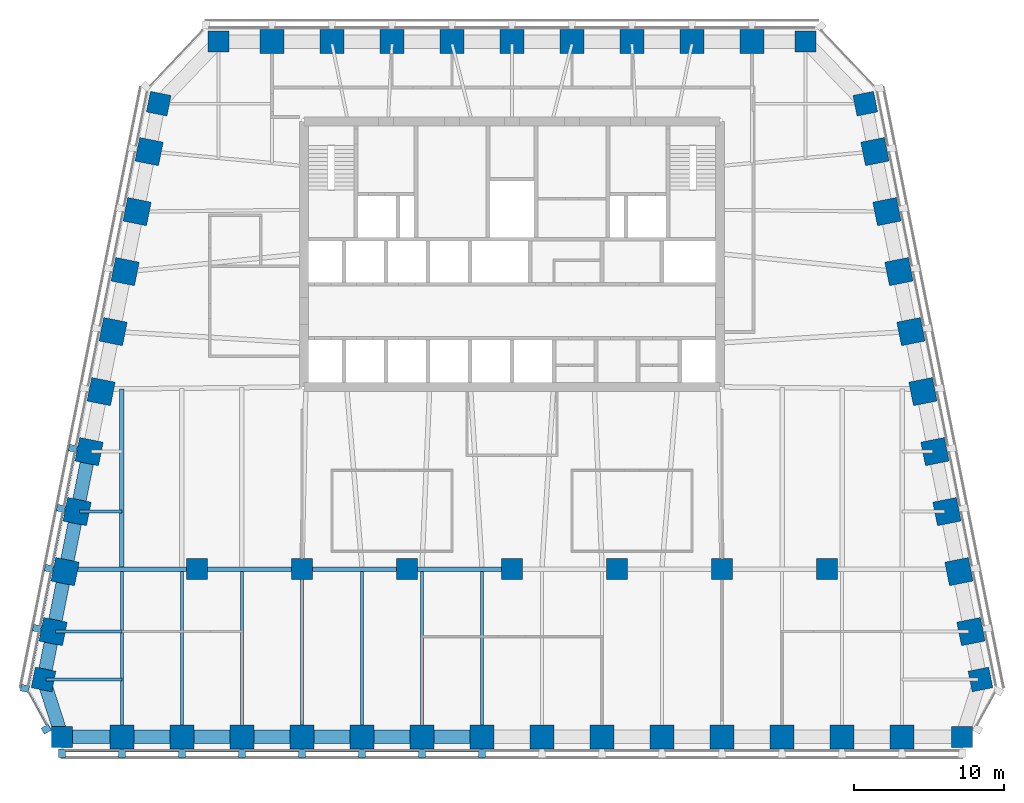
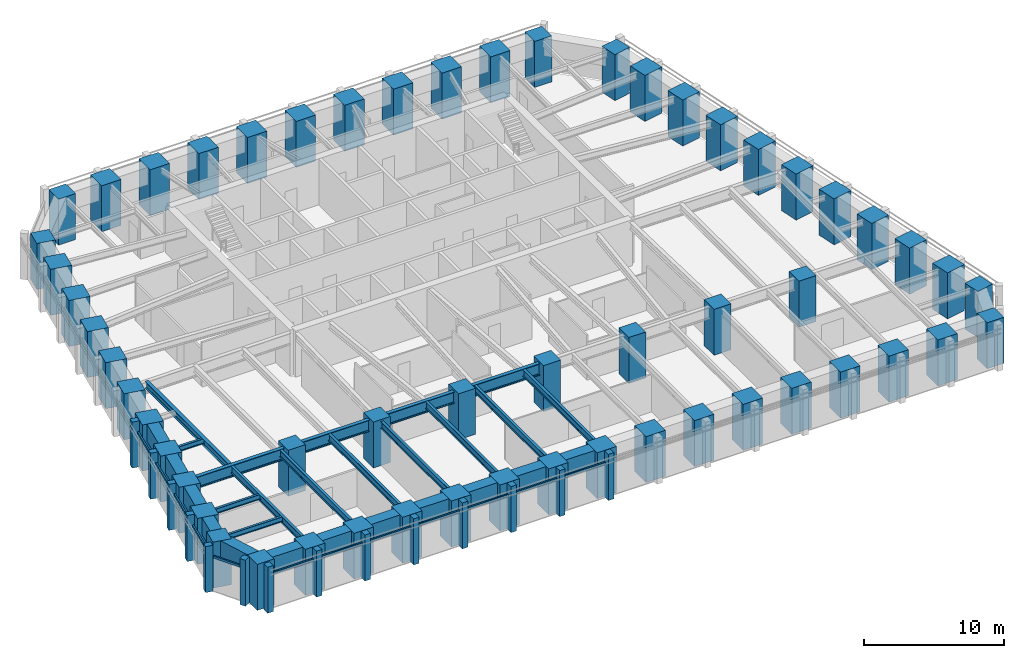
# One storey, part 1 of 10: 56 columns, 27 beams, 26 members, 3 elements without a shape of their own.
"""IFC4 building model written with IfcOpenShell, lengths in metres."""

from ifc_helpers import new_model, si_unit, direction, frame, origin, origin_2d, place, context, subcontext, project, spatial, rectangle, i_section, extrude, material, material_profile, profile_set, type_object, element, aggregate, save


model = new_model("IFC4")

# Units and contexts
model_context = context("Model", 3, precision=1e-05, world=origin(), true_north=direction((0.0, 1.0)))
body_context = subcontext(model_context, "Body", "Model", "MODEL_VIEW")
ifc_project = project(units=[si_unit("LENGTHUNIT", "METRE"), si_unit("AREAUNIT", "SQUARE_METRE"), si_unit("VOLUMEUNIT", "CUBIC_METRE"), si_unit("PLANEANGLEUNIT", "RADIAN"), si_unit("MASSUNIT", "GRAM", prefix="KILO")], contexts=[model_context])

# Site, building, storey
site_placement = place(None, origin())
site = spatial("IfcSite", under=ifc_project, at=site_placement, CompositionType="ELEMENT")
building_placement = place(site_placement, origin())
building = spatial("IfcBuilding", under=site, at=building_placement, Name="Isbrekke Arena Tower", CompositionType="ELEMENT")
storey_placement = place(building_placement, frame((0.0, 0.0, 234.0)))
storey = spatial("IfcBuildingStorey", under=building, at=storey_placement, Name="L54", CompositionType="ELEMENT", Elevation=234.0)

# Columns
ifc_material_1 = material(Name="Concrete B65 (C65/80)", Category="concrete")
ifc_material_profile_1 = material_profile(ifc_material_1, rectangle(XDim=1.39990234375, YDim=1.39990234375, at=origin_2d()), Name="RC 1400x1400")
ifc_profile_set_1 = profile_set([ifc_material_profile_1], Name="Concrete B65 (C65/80)")
column_type_1 = type_object("IfcColumnType", Name="C13 RC 1400 x 1400", PredefinedType="COLUMN", material=ifc_profile_set_1)
for number, where, z_axis, x_axis, name in (
    (1, (-21.0, -6.0, 0.0), (0.0, 0.0, 1.0), (1.0, 0.0, 0.0), "C13 I01"),
    (2, (-14.0, -6.0, 0.0), (0.0, 0.0, 1.0), (1.0, 0.0, 0.0), "C13 I02"),
    (3, (-7.0, -6.0, 0.0), (0.0, 0.0, 1.0), (1.0, 0.0, 0.0), "C13 I03"),
    (4, (0.0, -6.0, 0.0), (0.0, 0.0, 1.0), (1.0, 0.0, 0.0), "C13 I04"),
    (5, (7.0, -6.0, 0.0), (0.0, 0.0, 1.0), (1.0, 0.0, 0.0), "C13 I05"),
    (6, (14.0, -6.0, 0.0), (0.0, 0.0, 1.0), (1.0, 0.0, 0.0), "C13 I06"),
    (7, (21.0, -6.0, 0.0), (0.0, 0.0, 1.0), (1.0, 0.0, 0.0), "C13 I07"),
):
    element("IfcColumn", number, at=place(storey_placement, frame(where, z_axis=z_axis, x_axis=x_axis)), inside=storey, type_object=column_type_1, Name=name, PredefinedType="COLUMN", context=body_context, shape_type="SweptSolid", body=[
        extrude(rectangle(XDim=1.39990234375, YDim=1.39990234375, at=origin_2d()), origin(), (0.0, 0.0, 1.0), 4.0),
    ])
ifc_material_2 = material(Name="Concrete B65 (C65/80)", Category="concrete")
ifc_material_profile_2 = material_profile(ifc_material_2, rectangle(XDim=1.60009765625, YDim=1.60009765625, at=origin_2d()), Name="RC 1600x1600")
ifc_profile_set_2 = profile_set([ifc_material_profile_2], Name="Concrete B65 (C65/80)")
column_type_2 = type_object("IfcColumnType", Name="C4 RC 1600 x 1600", PredefinedType="COLUMN", material=ifc_profile_set_2)
for number, where, z_axis, x_axis, name in (
    (8, (-26.0, -17.175048828125, 0.0), (0.0, 0.0, 1.0), (1.0, 0.0, 0.0), "C4 S02"),
    (9, (-22.0, -17.175048828125, 0.0), (0.0, 0.0, 1.0), (1.0, 0.0, 0.0), "C4 S03"),
    (10, (-18.0, -17.175048828125, 0.0), (0.0, 0.0, 1.0), (1.0, 0.0, 0.0), "C4 S04"),
    (11, (-14.0, -17.175048828125, 0.0), (0.0, 0.0, 1.0), (1.0, 0.0, 0.0), "C4 S05"),
    (12, (-10.0, -17.175048828125, 0.0), (0.0, 0.0, 1.0), (1.0, 0.0, 0.0), "C4 S06"),
    (13, (-6.0, -17.175048828125, 0.0), (0.0, 0.0, 1.0), (1.0, 0.0, 0.0), "C4 S07"),
    (14, (-2.0, -17.175048828125, 0.0), (0.0, 0.0, 1.0), (1.0, 0.0, 0.0), "C4 S08"),
    (15, (2.0, -17.175048828125, 0.0), (0.0, 0.0, 1.0), (1.0, 0.0, 0.0), "C4 S09"),
    (16, (6.0, -17.175048828125, 0.0), (0.0, 0.0, 1.0), (1.0, 0.0, 0.0), "C4 S10"),
    (17, (10.0, -17.175048828125, 0.0), (0.0, 0.0, 1.0), (1.0, 0.0, 0.0), "C4 S11"),
    (18, (14.0, -17.175048828125, 0.0), (0.0, 0.0, 1.0), (1.0, 0.0, 0.0), "C4 S12"),
    (19, (18.0, -17.175048828125, 0.0), (0.0, 0.0, 1.0), (1.0, 0.0, 0.0), "C4 S13"),
    (20, (22.0, -17.175048828125, 0.0), (0.0, 0.0, 1.0), (1.0, 0.0, 0.0), "C4 S14"),
    (21, (26.0, -17.175048828125, 0.0), (0.0, 0.0, 1.0), (1.0, 0.0, 0.0), "C4 S15"),
    (22, (30.591064453125, -10.161865234375, 0.0), (0.0, 0.0, 1.0), (-0.196116135138, 0.980580675691, 0.0), "C4 E02"),
    (23, (29.791015625, -6.161865234375, 0.0), (0.0, 0.0, 1.0), (-0.196116135138, 0.980580675691, 0.0), "C4 E03"),
    (24, (28.990966796875, -2.161865234375, 0.0), (0.0, 0.0, 1.0), (-0.196116135138, 0.980580675691, 0.0), "C4 E04"),
    (25, (28.19091796875, 1.838134765625, 0.0), (0.0, 0.0, 1.0), (-0.196116135138, 0.980580675691, 0.0), "C4 E05"),
    (26, (27.39111328125, 5.838134765625, 0.0), (0.0, 0.0, 1.0), (-0.196116135138, 0.980580675691, 0.0), "C4 E06"),
    (27, (26.591064453125, 9.838134765625, 0.0), (0.0, 0.0, 1.0), (-0.196116135138, 0.980580675691, 0.0), "C4 E07"),
    (28, (25.791015625, 13.838134765625, 0.0), (0.0, 0.0, 1.0), (-0.196116135138, 0.980580675691, 0.0), "C4 E08"),
    (29, (24.990966796875, 17.838134765625, 0.0), (0.0, 0.0, 1.0), (-0.196116135138, 0.980580675691, 0.0), "C4 E09"),
    (30, (24.19091796875, 21.838134765625, 0.0), (0.0, 0.0, 1.0), (-0.196116135138, 0.980580675691, 0.0), "C4 E10"),
    (31, (16.0, 29.175048828125, 0.0), (0.0, 0.0, 1.0), (-1.0, 0.0, 0.0), "C4 N02"),
    (32, (12.0, 29.175048828125, 0.0), (0.0, 0.0, 1.0), (-1.0, 0.0, 0.0), "C4 N03"),
    (33, (8.0, 29.175048828125, 0.0), (0.0, 0.0, 1.0), (-1.0, 0.0, 0.0), "C4 N04"),
    (34, (4.0, 29.175048828125, 0.0), (0.0, 0.0, 1.0), (-1.0, 0.0, 0.0), "C4 N05"),
    (35, (0.0, 29.175048828125, 0.0), (0.0, 0.0, 1.0), (-1.0, 0.0, 0.0), "C4 N06"),
    (36, (-4.0, 29.175048828125, 0.0), (0.0, 0.0, 1.0), (-1.0, 0.0, 0.0), "C4 N07"),
    (37, (-8.0, 29.175048828125, 0.0), (0.0, 0.0, 1.0), (-1.0, 0.0, 0.0), "C4 N08"),
    (38, (-12.0, 29.175048828125, 0.0), (0.0, 0.0, 1.0), (-1.0, 0.0, 0.0), "C4 N09"),
    (39, (-16.0, 29.175048828125, 0.0), (0.0, 0.0, 1.0), (-1.0, 0.0, 0.0), "C4 N10"),
    (40, (-24.19091796875, 21.838134765625, 0.0), (0.0, 0.0, 1.0), (-0.196116135138, -0.980580675691, 0.0), "C4 W02"),
    (41, (-24.990966796875, 17.838134765625, 0.0), (0.0, 0.0, 1.0), (-0.196116135138, -0.980580675691, 0.0), "C4 W03"),
    (42, (-25.791015625, 13.838134765625, 0.0), (0.0, 0.0, 1.0), (-0.196116135138, -0.980580675691, 0.0), "C4 W04"),
    (43, (-26.591064453125, 9.838134765625, 0.0), (0.0, 0.0, 1.0), (-0.196116135138, -0.980580675691, 0.0), "C4 W05"),
    (44, (-27.39111328125, 5.838134765625, 0.0), (0.0, 0.0, 1.0), (-0.196116135138, -0.980580675691, 0.0), "C4 W06"),
    (45, (-28.19091796875, 1.838134765625, 0.0), (0.0, 0.0, 1.0), (-0.196116135138, -0.980580675691, 0.0), "C4 W07"),
    (46, (-28.990966796875, -2.161865234375, 0.0), (0.0, 0.0, 1.0), (-0.196116135138, -0.980580675691, 0.0), "C4 W08"),
    (47, (-29.791015625, -6.161865234375, 0.0), (0.0, 0.0, 1.0), (-0.196116135138, -0.980580675691, 0.0), "C4 W09"),
    (48, (-30.591064453125, -10.161865234375, 0.0), (0.0, 0.0, 1.0), (-0.196116135138, -0.980580675691, 0.0), "C4 W10"),
):
    element("IfcColumn", number, at=place(storey_placement, frame(where, z_axis=z_axis, x_axis=x_axis)), inside=storey, type_object=column_type_2, Name=name, PredefinedType="COLUMN", context=body_context, shape_type="SweptSolid", body=[
        extrude(rectangle(XDim=1.60009765625, YDim=1.60009765625, at=origin_2d()), origin(), (0.0, 0.0, 1.0), 4.0),
    ])
ifc_material_3 = material(Name="Concrete B65 (C65/80)", Category="concrete")
ifc_material_profile_3 = material_profile(ifc_material_3, rectangle(XDim=1.39990234375, YDim=1.39990234375, at=origin_2d()), Name="RC 1400x1400")
ifc_profile_set_3 = profile_set([ifc_material_profile_3], Name="Concrete B65 (C65/80)")
column_type_3 = type_object("IfcColumnType", Name="C8 RC 1400 x 1400", PredefinedType="COLUMN", material=ifc_profile_set_3)
for number, where, z_axis, x_axis, name in (
    (49, (-30.0, -17.175048828125, 0.0), (0.0, 0.0, 1.0), (1.0, 0.0, 0.0), "C8 S01"),
    (50, (30.0, -17.175048828125, 0.0), (0.0, 0.0, 1.0), (1.0, 0.0, 0.0), "C8 S16"),
    (51, (31.229248046875, -13.352783203125, 0.0), (0.0, 0.0, 1.0), (-0.196116135138, 0.980580675691, 0.0), "C8 E01"),
    (52, (23.552734375, 25.029296875, 0.0), (0.0, 0.0, 1.0), (-0.196116135138, 0.980580675691, 0.0), "C8 E11"),
    (53, (19.574951171875, 29.175048828125, 0.0), (0.0, 0.0, 1.0), (-1.0, 0.0, 0.0), "C8 N01"),
    (54, (-19.574951171875, 29.175048828125, 0.0), (0.0, 0.0, 1.0), (-1.0, 0.0, 0.0), "C8 N11"),
    (55, (-23.552734375, 25.029296875, 0.0), (0.0, 0.0, 1.0), (-0.196116135138, -0.980580675691, 0.0), "C8 W01"),
    (56, (-31.229248046875, -13.352783203125, 0.0), (0.0, 0.0, 1.0), (-0.196116135138, -0.980580675691, 0.0), "C8 W11"),
):
    element("IfcColumn", number, at=place(storey_placement, frame(where, z_axis=z_axis, x_axis=x_axis)), inside=storey, type_object=column_type_3, Name=name, PredefinedType="COLUMN", context=body_context, shape_type="SweptSolid", body=[
        extrude(rectangle(XDim=1.39990234375, YDim=1.39990234375, at=origin_2d()), origin(), (0.0, 0.0, 1.0), 4.0),
    ])

# Beams
ifc_material_4 = material(Name="Steel S355", Category="steel")
ifc_material_profile_4 = material_profile(ifc_material_4, i_section(OverallWidth=0.219970703125, OverallDepth=0.60009765625, WebThickness=0.011962890625, FlangeThickness=0.01904296875, FilletRadius=0.02392578125, at=origin_2d()), Name="IPE 600")
ifc_profile_set_4 = profile_set([ifc_material_profile_4], Name="Steel S355")
beam_type_1 = type_object("IfcBeamType", Name="B1 IPE 600", PredefinedType="BEAM", material=ifc_profile_set_4)
for number, where, z_axis, x_axis, name in (
    (57, (-26.0, -17.02490234375, 3.550048828125), (0.0, 1.0, 0.0), (-1.0, 0.0, 0.0), "B1 beam S-S02 L54"),
    (58, (-22.0, -17.02490234375, 3.550048828125), (0.0, 1.0, 0.0), (-1.0, 0.0, 0.0), "B1 beam S-S03 L54"),
    (59, (-18.0, -17.02490234375, 3.550048828125), (0.0, 1.0, 0.0), (-1.0, 0.0, 0.0), "B1 beam S-S04 L54"),
):
    element("IfcBeam", number, at=place(storey_placement, frame(where, z_axis=z_axis, x_axis=x_axis)), inside=storey, type_object=beam_type_1, Name=name, PredefinedType="BEAM", context=body_context, shape_type="SweptSolid", body=[
        extrude(i_section(OverallWidth=0.219970703125, OverallDepth=0.60009765625, WebThickness=0.011962890625, FlangeThickness=0.01904296875, FilletRadius=0.02392578125, at=origin_2d()), origin(), (0.0, 0.0, 1.0), 10.8740234375),
    ])
beam_1_placement = place(storey_placement, frame((-14.0, -17.02490234375, 3.550048828125), z_axis=(0.0, 1.0, 0.0), x_axis=(-1.0, 0.0, 0.0)))
element("IfcBeam", 60, at=beam_1_placement, inside=storey, type_object=beam_type_1, Name="B1 beam S-S05 L54", PredefinedType="BEAM", context=body_context, shape_type="SweptSolid", body=[
    extrude(i_section(OverallWidth=0.219970703125, OverallDepth=0.60009765625, WebThickness=0.011962890625, FlangeThickness=0.01904296875, FilletRadius=0.02392578125, at=origin_2d()), origin(), (0.0, 0.0, 1.0), 10.875),
])
for number, where, z_axis, x_axis, name in (
    (61, (-10.0, -17.02490234375, 3.550048828125), (0.0, 1.0, 0.0), (-1.0, 0.0, 0.0), "B1 beam S-S06 L54"),
    (62, (-6.0, -17.02490234375, 3.550048828125), (0.0, 1.0, 0.0), (-1.0, 0.0, 0.0), "B1 beam S-S07 L54"),
    (63, (-2.0, -17.02490234375, 3.550048828125), (0.0, 1.0, 0.0), (-1.0, 0.0, 0.0), "B1 beam S-S08 L54"),
):
    element("IfcBeam", number, at=place(storey_placement, frame(where, z_axis=z_axis, x_axis=x_axis)), inside=storey, type_object=beam_type_1, Name=name, PredefinedType="BEAM", context=body_context, shape_type="SweptSolid", body=[
        extrude(i_section(OverallWidth=0.219970703125, OverallDepth=0.60009765625, WebThickness=0.011962890625, FlangeThickness=0.01904296875, FilletRadius=0.02392578125, at=origin_2d()), origin(), (0.0, 0.0, 1.0), 10.8740234375),
    ])
ifc_material_5 = material(Name="Steel S355", Category="steel")
ifc_material_profile_5 = material_profile(ifc_material_5, i_section(OverallWidth=0.18994140625, OverallDepth=0.449951171875, WebThickness=0.009521484375, FlangeThickness=0.0146484375, FilletRadius=0.02099609375, at=origin_2d()), Name="IPE 450")
ifc_profile_set_5 = profile_set([ifc_material_profile_5], Name="Steel S355")
beam_type_2 = type_object("IfcBeamType", Name="B2 IPE 450", PredefinedType="BEAM", material=ifc_profile_set_5)
beam_2_placement = place(storey_placement, frame((-28.841064453125, -2.161865234375, 3.625), z_axis=(1.0, 0.0, 0.0), x_axis=(0.0, 1.0, 0.0)))
element("IfcBeam", 64, at=beam_2_placement, inside=storey, type_object=beam_type_2, Name="B2 beam E-W08 L54", PredefinedType="BEAM", context=body_context, shape_type="SweptSolid", body=[
    extrude(i_section(OverallWidth=0.18994140625, OverallDepth=0.449951171875, WebThickness=0.009521484375, FlangeThickness=0.0146484375, FilletRadius=0.02099609375, at=origin_2d()), origin(), (0.0, 0.0, 1.0), 2.841064453125),
])
beam_3_placement = place(storey_placement, frame((-30.44091796875, -10.161865234375, 3.625), z_axis=(1.0, 0.0, 0.0), x_axis=(0.0, 1.0, 0.0)))
element("IfcBeam", 65, at=beam_3_placement, inside=storey, type_object=beam_type_2, Name="B2 beam E-W10 L54", PredefinedType="BEAM", context=body_context, shape_type="SweptSolid", body=[
    extrude(i_section(OverallWidth=0.18994140625, OverallDepth=0.449951171875, WebThickness=0.009521484375, FlangeThickness=0.0146484375, FilletRadius=0.02099609375, at=origin_2d()), origin(), (0.0, 0.0, 1.0), 4.44091796875),
])
beam_4_placement = place(storey_placement, frame((-31.079345703125, -13.352783203125, 3.625), z_axis=(1.0, 0.0, 0.0), x_axis=(0.0, 1.0, 0.0)))
element("IfcBeam", 66, at=beam_4_placement, inside=storey, type_object=beam_type_2, Name="B2 beam E-W11 L54", PredefinedType="BEAM", context=body_context, shape_type="SweptSolid", body=[
    extrude(i_section(OverallWidth=0.18994140625, OverallDepth=0.449951171875, WebThickness=0.009521484375, FlangeThickness=0.0146484375, FilletRadius=0.02099609375, at=origin_2d()), origin(), (0.0, 0.0, 1.0), 5.079345703125),
])
ifc_material_6 = material(Name="Steel S355", Category="steel")
ifc_material_profile_6 = material_profile(ifc_material_6, i_section(OverallWidth=0.300048828125, OverallDepth=0.60009765625, WebThickness=0.015380859375, FlangeThickness=0.030029296875, FilletRadius=0.027099609375, at=origin_2d()), Name="HEB 600")
ifc_profile_set_6 = profile_set([ifc_material_profile_6], Name="Steel S355")
beam_type_3 = type_object("IfcBeamType", Name="B7 HEB 600", PredefinedType="BEAM", material=ifc_profile_set_6)
beam_5_placement = place(storey_placement, frame((-26.0, -5.84912109375, 3.550048828125), z_axis=(0.0, 1.0, 0.0), x_axis=(-1.0, 0.0, 0.0)))
element("IfcBeam", 67, at=beam_5_placement, inside=storey, type_object=beam_type_3, Name="B7 beam C-M01 L54", PredefinedType="BEAM", context=body_context, shape_type="SweptSolid", body=[
    extrude(i_section(OverallWidth=0.300048828125, OverallDepth=0.60009765625, WebThickness=0.015380859375, FlangeThickness=0.030029296875, FilletRadius=0.027099609375, at=origin_2d()), origin(), (0.0, 0.0, 1.0), 11.864990234375),
])

# Curtain wall, members
ifc_material_7 = material(Name="Glazed aluminium curtain wall", Category="aluminium")
curtain_wall_type = type_object("IfcCurtainWallType", Name="CWH TOWER CURTAIN WALL HIGH ZONE", PredefinedType="USERDEFINED", material=ifc_material_7)
curtain_wall_1_placement = place(storey_placement, origin())
curtain_wall_1 = element("IfcCurtainWall", 68, at=curtain_wall_1_placement, inside=storey, type_object=curtain_wall_type, Name="CWH curtain wall L54-S", ObjectType="TOWER CURTAIN WALL HIGH ZONE", PredefinedType="USERDEFINED")
ifc_material_8 = material(Name="Aluminium mullion, pale brick slip cladding", Category="masonry")
ifc_material_profile_7 = material_profile(ifc_material_8, rectangle(XDim=0.449951171875, YDim=0.550048828125, at=origin_2d()), Name="PIER 450X550")
ifc_profile_set_7 = profile_set([ifc_material_profile_7], Name="Aluminium mullion, pale brick slip cladding")
member_type_1 = type_object("IfcMemberType", Name="CWH-M PIER MULLION 450 x 550", PredefinedType="MULLION", material=ifc_profile_set_7)
member_1_placement = place(storey_placement, frame((-30.0, -18.27490234375, 0.0), z_axis=(0.0, 0.0, 1.0), x_axis=(1.0, 0.0, 0.0)))
member_1 = element("IfcMember", 69, at=member_1_placement, type_object=member_type_1, Name="CWH-M mullion 1", PredefinedType="MULLION", context=body_context, shape_type="SweptSolid", body=[
    extrude(rectangle(XDim=0.449951171875, YDim=0.550048828125, at=origin_2d()), origin(), (0.0, 0.0, 1.0), 4.0),
])
member_2_placement = place(storey_placement, frame((-26.0, -18.27490234375, 0.0), z_axis=(0.0, 0.0, 1.0), x_axis=(1.0, 0.0, 0.0)))
member_2 = element("IfcMember", 70, at=member_2_placement, type_object=member_type_1, Name="CWH-M mullion 2", PredefinedType="MULLION", context=body_context, shape_type="SweptSolid", body=[
    extrude(rectangle(XDim=0.449951171875, YDim=0.550048828125, at=origin_2d()), origin(), (0.0, 0.0, 1.0), 4.0),
])
member_3_placement = place(storey_placement, frame((-22.0, -18.27490234375, 0.0), z_axis=(0.0, 0.0, 1.0), x_axis=(1.0, 0.0, 0.0)))
member_3 = element("IfcMember", 71, at=member_3_placement, type_object=member_type_1, Name="CWH-M mullion 3", PredefinedType="MULLION", context=body_context, shape_type="SweptSolid", body=[
    extrude(rectangle(XDim=0.449951171875, YDim=0.550048828125, at=origin_2d()), origin(), (0.0, 0.0, 1.0), 4.0),
])
member_4_placement = place(storey_placement, frame((-18.0, -18.27490234375, 0.0), z_axis=(0.0, 0.0, 1.0), x_axis=(1.0, 0.0, 0.0)))
member_4 = element("IfcMember", 72, at=member_4_placement, type_object=member_type_1, Name="CWH-M mullion 4", PredefinedType="MULLION", context=body_context, shape_type="SweptSolid", body=[
    extrude(rectangle(XDim=0.449951171875, YDim=0.550048828125, at=origin_2d()), origin(), (0.0, 0.0, 1.0), 4.0),
])
member_5_placement = place(storey_placement, frame((-14.0, -18.27490234375, 0.0), z_axis=(0.0, 0.0, 1.0), x_axis=(1.0, 0.0, 0.0)))
member_5 = element("IfcMember", 73, at=member_5_placement, type_object=member_type_1, Name="CWH-M mullion 5", PredefinedType="MULLION", context=body_context, shape_type="SweptSolid", body=[
    extrude(rectangle(XDim=0.449951171875, YDim=0.550048828125, at=origin_2d()), origin(), (0.0, 0.0, 1.0), 4.0),
])
member_6_placement = place(storey_placement, frame((-10.0, -18.27490234375, 0.0), z_axis=(0.0, 0.0, 1.0), x_axis=(1.0, 0.0, 0.0)))
member_6 = element("IfcMember", 74, at=member_6_placement, type_object=member_type_1, Name="CWH-M mullion 6", PredefinedType="MULLION", context=body_context, shape_type="SweptSolid", body=[
    extrude(rectangle(XDim=0.449951171875, YDim=0.550048828125, at=origin_2d()), origin(), (0.0, 0.0, 1.0), 4.0),
])
member_7_placement = place(storey_placement, frame((-6.0, -18.27490234375, 0.0), z_axis=(0.0, 0.0, 1.0), x_axis=(1.0, 0.0, 0.0)))
member_7 = element("IfcMember", 75, at=member_7_placement, type_object=member_type_1, Name="CWH-M mullion 7", PredefinedType="MULLION", context=body_context, shape_type="SweptSolid", body=[
    extrude(rectangle(XDim=0.449951171875, YDim=0.550048828125, at=origin_2d()), origin(), (0.0, 0.0, 1.0), 4.0),
])
member_8_placement = place(storey_placement, frame((-2.0, -18.27490234375, 0.0), z_axis=(0.0, 0.0, 1.0), x_axis=(1.0, 0.0, 0.0)))
member_8 = element("IfcMember", 76, at=member_8_placement, type_object=member_type_1, Name="CWH-M mullion 8", PredefinedType="MULLION", context=body_context, shape_type="SweptSolid", body=[
    extrude(rectangle(XDim=0.449951171875, YDim=0.550048828125, at=origin_2d()), origin(), (0.0, 0.0, 1.0), 4.0),
])

curtain_wall_2_placement = place(storey_placement, origin())
curtain_wall_2 = element("IfcCurtainWall", 77, at=curtain_wall_2_placement, inside=storey, type_object=curtain_wall_type, Name="CWH curtain wall L54-W", ObjectType="TOWER CURTAIN WALL HIGH ZONE", PredefinedType="USERDEFINED")
member_9_placement = place(storey_placement, frame((-29.269775390625, 2.053955078125, 0.0), z_axis=(0.0, 0.0, 1.0), x_axis=(-0.196116135138, -0.980580675691, 0.0)))
member_9 = element("IfcMember", 78, at=member_9_placement, type_object=member_type_1, Name="CWH-M mullion 6", PredefinedType="MULLION", context=body_context, shape_type="SweptSolid", body=[
    extrude(rectangle(XDim=0.449951171875, YDim=0.550048828125, at=origin_2d()), origin(), (0.0, 0.0, 1.0), 4.0),
])
member_10_placement = place(storey_placement, frame((-30.069580078125, -1.946044921875, 0.0), z_axis=(0.0, 0.0, 1.0), x_axis=(-0.196116135138, -0.980580675691, 0.0)))
member_10 = element("IfcMember", 79, at=member_10_placement, type_object=member_type_1, Name="CWH-M mullion 7", PredefinedType="MULLION", context=body_context, shape_type="SweptSolid", body=[
    extrude(rectangle(XDim=0.449951171875, YDim=0.550048828125, at=origin_2d()), origin(), (0.0, 0.0, 1.0), 4.0),
])
member_11_placement = place(storey_placement, frame((-30.86962890625, -5.946044921875, 0.0), z_axis=(0.0, 0.0, 1.0), x_axis=(-0.196116135138, -0.980580675691, 0.0)))
member_11 = element("IfcMember", 80, at=member_11_placement, type_object=member_type_1, Name="CWH-M mullion 8", PredefinedType="MULLION", context=body_context, shape_type="SweptSolid", body=[
    extrude(rectangle(XDim=0.449951171875, YDim=0.550048828125, at=origin_2d()), origin(), (0.0, 0.0, 1.0), 4.0),
])
member_12_placement = place(storey_placement, frame((-31.669677734375, -9.946044921875, 0.0), z_axis=(0.0, 0.0, 1.0), x_axis=(-0.196116135138, -0.980580675691, 0.0)))
member_12 = element("IfcMember", 81, at=member_12_placement, type_object=member_type_1, Name="CWH-M mullion 9", PredefinedType="MULLION", context=body_context, shape_type="SweptSolid", body=[
    extrude(rectangle(XDim=0.449951171875, YDim=0.550048828125, at=origin_2d()), origin(), (0.0, 0.0, 1.0), 4.0),
])
member_13_placement = place(storey_placement, frame((-32.4697265625, -13.946044921875, 0.0), z_axis=(0.0, 0.0, 1.0), x_axis=(-0.196116135138, -0.980580675691, 0.0)))
member_13 = element("IfcMember", 82, at=member_13_placement, type_object=member_type_1, Name="CWH-M mullion 10", PredefinedType="MULLION", context=body_context, shape_type="SweptSolid", body=[
    extrude(rectangle(XDim=0.449951171875, YDim=0.550048828125, at=origin_2d()), origin(), (0.0, 0.0, 1.0), 4.0),
])

# Curtain wall, member
curtain_wall_3_placement = place(storey_placement, origin())
curtain_wall_3 = element("IfcCurtainWall", 83, at=curtain_wall_3_placement, inside=storey, type_object=curtain_wall_type, Name="CWH curtain wall L54-WS", ObjectType="TOWER CURTAIN WALL HIGH ZONE", PredefinedType="USERDEFINED")
member_14_placement = place(storey_placement, frame((-31.04638671875, -16.66796875, 0.0), z_axis=(0.0, 0.0, 1.0), x_axis=(0.481918749773, -0.876215908676, 0.0)))
member_14 = element("IfcMember", 84, at=member_14_placement, type_object=member_type_1, Name="CWH-M mullion 1", PredefinedType="MULLION", context=body_context, shape_type="SweptSolid", body=[
    extrude(rectangle(XDim=0.449951171875, YDim=0.550048828125, at=origin_2d()), origin(), (0.0, 0.0, 1.0), 4.0),
])

# Member
ifc_material_9 = material(Name="Aluminium transom", Category="aluminium")
ifc_material_profile_8 = material_profile(ifc_material_9, rectangle(XDim=0.1201171875, YDim=0.199951171875, at=origin_2d()), Name="TRANSOM 120X200")
ifc_profile_set_8 = profile_set([ifc_material_profile_8], Name="Aluminium transom")
member_type_2 = type_object("IfcMemberType", Name="CWH-T TRANSOM 120 x 200", PredefinedType="USERDEFINED", material=ifc_profile_set_8)
member_15_placement = place(storey_placement, frame((-29.77490234375, -18.10009765625, 3.0), z_axis=(1.0, 0.0, 0.0), x_axis=(0.0, 1.0, 0.0)))
member_15 = element("IfcMember", 85, at=member_15_placement, type_object=member_type_2, Name="CWH-T transom 1", ObjectType="TRANSOM", PredefinedType="USERDEFINED", context=body_context, shape_type="SweptSolid", body=[
    extrude(rectangle(XDim=0.1201171875, YDim=0.199951171875, at=origin_2d()), origin(), (0.0, 0.0, 1.0), 3.5498046875),
])

member_16_placement = place(storey_placement, frame((-25.77490234375, -18.10009765625, 3.0), z_axis=(1.0, 0.0, 0.0), x_axis=(0.0, 1.0, 0.0)))
member_16 = element("IfcMember", 86, at=member_16_placement, type_object=member_type_2, Name="CWH-T transom 2", ObjectType="TRANSOM", PredefinedType="USERDEFINED", context=body_context, shape_type="SweptSolid", body=[
    extrude(rectangle(XDim=0.1201171875, YDim=0.199951171875, at=origin_2d()), origin(), (0.0, 0.0, 1.0), 3.5498046875),
])

member_17_placement = place(storey_placement, frame((-21.77490234375, -18.10009765625, 3.0), z_axis=(1.0, 0.0, 0.0), x_axis=(0.0, 1.0, 0.0)))
member_17 = element("IfcMember", 87, at=member_17_placement, type_object=member_type_2, Name="CWH-T transom 3", ObjectType="TRANSOM", PredefinedType="USERDEFINED", context=body_context, shape_type="SweptSolid", body=[
    extrude(rectangle(XDim=0.1201171875, YDim=0.199951171875, at=origin_2d()), origin(), (0.0, 0.0, 1.0), 3.5498046875),
])

member_18_placement = place(storey_placement, frame((-17.77490234375, -18.10009765625, 3.0), z_axis=(1.0, 0.0, 0.0), x_axis=(0.0, 1.0, 0.0)))
member_18 = element("IfcMember", 88, at=member_18_placement, type_object=member_type_2, Name="CWH-T transom 4", ObjectType="TRANSOM", PredefinedType="USERDEFINED", context=body_context, shape_type="SweptSolid", body=[
    extrude(rectangle(XDim=0.1201171875, YDim=0.199951171875, at=origin_2d()), origin(), (0.0, 0.0, 1.0), 3.5498046875),
])

member_19_placement = place(storey_placement, frame((-13.77490234375, -18.10009765625, 3.0), z_axis=(1.0, 0.0, 0.0), x_axis=(0.0, 1.0, 0.0)))
member_19 = element("IfcMember", 89, at=member_19_placement, type_object=member_type_2, Name="CWH-T transom 5", ObjectType="TRANSOM", PredefinedType="USERDEFINED", context=body_context, shape_type="SweptSolid", body=[
    extrude(rectangle(XDim=0.1201171875, YDim=0.199951171875, at=origin_2d()), origin(), (0.0, 0.0, 1.0), 3.5498046875),
])

member_20_placement = place(storey_placement, frame((-9.77490234375, -18.10009765625, 3.0), z_axis=(1.0, 0.0, 0.0), x_axis=(0.0, 1.0, 0.0)))
member_20 = element("IfcMember", 90, at=member_20_placement, type_object=member_type_2, Name="CWH-T transom 6", ObjectType="TRANSOM", PredefinedType="USERDEFINED", context=body_context, shape_type="SweptSolid", body=[
    extrude(rectangle(XDim=0.1201171875, YDim=0.199951171875, at=origin_2d()), origin(), (0.0, 0.0, 1.0), 3.5498046875),
])

member_21_placement = place(storey_placement, frame((-5.77490234375, -18.10009765625, 3.0), z_axis=(1.0, 0.0, 0.0), x_axis=(0.0, 1.0, 0.0)))
member_21 = element("IfcMember", 91, at=member_21_placement, type_object=member_type_2, Name="CWH-T transom 7", ObjectType="TRANSOM", PredefinedType="USERDEFINED", context=body_context, shape_type="SweptSolid", body=[
    extrude(rectangle(XDim=0.1201171875, YDim=0.199951171875, at=origin_2d()), origin(), (0.0, 0.0, 1.0), 3.5498046875),
])

aggregate(curtain_wall_1, [member_1, member_2, member_3, member_4, member_5, member_6, member_7, member_8, member_15, member_16, member_17, member_18, member_19, member_20, member_21])

member_22_placement = place(storey_placement, frame((-29.14208984375, 1.799072265625, 3.0), z_axis=(-0.196154943734, -0.980572913173, 0.0), x_axis=(0.980572913173, -0.196154943734, 0.0)))
member_22 = element("IfcMember", 92, at=member_22_placement, type_object=member_type_2, Name="CWH-T transom 7", ObjectType="TRANSOM", PredefinedType="USERDEFINED", context=body_context, shape_type="SweptSolid", body=[
    extrude(rectangle(XDim=0.1201171875, YDim=0.199951171875, at=origin_2d()), origin(), (0.0, 0.0, 1.0), 3.62939453125),
])

member_23_placement = place(storey_placement, frame((-29.942138671875, -2.200927734375, 3.0), z_axis=(-0.196154943734, -0.980572913173, 0.0), x_axis=(0.980572913173, -0.196154943734, 0.0)))
member_23 = element("IfcMember", 93, at=member_23_placement, type_object=member_type_2, Name="CWH-T transom 8", ObjectType="TRANSOM", PredefinedType="USERDEFINED", context=body_context, shape_type="SweptSolid", body=[
    extrude(rectangle(XDim=0.1201171875, YDim=0.199951171875, at=origin_2d()), origin(), (0.0, 0.0, 1.0), 3.62939453125),
])

member_24_placement = place(storey_placement, frame((-30.7421875, -6.200927734375, 3.0), z_axis=(-0.196090262229, -0.980585849918, 0.0), x_axis=(0.980585849918, -0.196090262229, 0.0)))
member_24 = element("IfcMember", 94, at=member_24_placement, type_object=member_type_2, Name="CWH-T transom 9", ObjectType="TRANSOM", PredefinedType="USERDEFINED", context=body_context, shape_type="SweptSolid", body=[
    extrude(rectangle(XDim=0.1201171875, YDim=0.199951171875, at=origin_2d()), origin(), (0.0, 0.0, 1.0), 3.62939453125),
])

member_25_placement = place(storey_placement, frame((-31.542236328125, -10.200927734375, 3.0), z_axis=(-0.196090262229, -0.980585849918, 0.0), x_axis=(0.980585849918, -0.196090262229, 0.0)))
member_25 = element("IfcMember", 95, at=member_25_placement, type_object=member_type_2, Name="CWH-T transom 10", ObjectType="TRANSOM", PredefinedType="USERDEFINED", context=body_context, shape_type="SweptSolid", body=[
    extrude(rectangle(XDim=0.1201171875, YDim=0.199951171875, at=origin_2d()), origin(), (0.0, 0.0, 1.0), 3.62939453125),
])

aggregate(curtain_wall_2, [member_9, member_10, member_11, member_12, member_13, member_22, member_23, member_24, member_25])

member_26_placement = place(storey_placement, frame((-32.17919921875, -14.245361328125, 3.0), z_axis=(0.481957101782, -0.876194813978, 0.0), x_axis=(0.876194813978, 0.481957101782, 0.0)))
member_26 = element("IfcMember", 96, at=member_26_placement, type_object=member_type_2, Name="CWH-T transom 1", ObjectType="TRANSOM", PredefinedType="USERDEFINED", context=body_context, shape_type="SweptSolid", body=[
    extrude(rectangle(XDim=0.1201171875, YDim=0.199951171875, at=origin_2d()), origin(), (0.0, 0.0, 1.0), 2.443603515625),
])

aggregate(curtain_wall_3, [member_14, member_26])

# Beams
ifc_material_10 = material(Name="Steel S355", Category="steel")
ifc_material_profile_9 = material_profile(ifc_material_10, i_section(OverallWidth=0.302001953125, OverallDepth=1.008056640625, WebThickness=0.02099609375, FlangeThickness=0.0400390625, FilletRadius=0.030029296875, at=origin_2d()), Name="HEM 1000")
ifc_profile_set_9 = profile_set([ifc_material_profile_9], Name="Steel S355")
beam_type_4 = type_object("IfcBeamType", Name="G1 HEM 1000", PredefinedType="BEAM", material=ifc_profile_set_9)
beam_6_placement = place(storey_placement, frame((-29.791015625, -6.0, 3.345947265625), z_axis=(1.0, 0.0, 0.0), x_axis=(0.0, 1.0, 0.0)))
element("IfcBeam", 97, at=beam_6_placement, inside=storey, type_object=beam_type_4, Name="G1 beam G1-01 L54", PredefinedType="BEAM", context=body_context, shape_type="SweptSolid", body=[
    extrude(i_section(OverallWidth=0.302001953125, OverallDepth=1.008056640625, WebThickness=0.02099609375, FlangeThickness=0.0400390625, FilletRadius=0.030029296875, at=origin_2d()), origin(), (0.0, 0.0, 1.0), 8.64111328125),
])
for number, where, z_axis, x_axis, name in (
    (98, (-20.85009765625, -6.0, 3.345947265625), (1.0, 0.0, 0.0), (0.0, 1.0, 0.0), "G1 beam G1-02 L54"),
    (99, (-13.85009765625, -6.0, 3.345947265625), (1.0, 0.0, 0.0), (0.0, 1.0, 0.0), "G1 beam G1-03 L54"),
    (100, (-6.85009765625, -6.0, 3.345947265625), (1.0, 0.0, 0.0), (0.0, 1.0, 0.0), "G1 beam G1-04 L54"),
):
    element("IfcBeam", number, at=place(storey_placement, frame(where, z_axis=z_axis, x_axis=x_axis)), inside=storey, type_object=beam_type_4, Name=name, PredefinedType="BEAM", context=body_context, shape_type="SweptSolid", body=[
        extrude(i_section(OverallWidth=0.302001953125, OverallDepth=1.008056640625, WebThickness=0.02099609375, FlangeThickness=0.0400390625, FilletRadius=0.030029296875, at=origin_2d()), origin(), (0.0, 0.0, 1.0), 6.7001953125),
    ])
ifc_material_11 = material(Name="Concrete B65 (C65/80)", Category="concrete")
ifc_material_profile_10 = material_profile(ifc_material_11, rectangle(XDim=0.89990234375, YDim=1.5, at=origin_2d()), Name="RC 900x1500")
ifc_profile_set_10 = profile_set([ifc_material_profile_10], Name="Concrete B65 (C65/80)")
beam_type_5 = type_object("IfcBeamType", Name="SB3 RC 900 x 1500", PredefinedType="SPANDREL", material=ifc_profile_set_10)
for number, where, z_axis, x_axis, name in (
    (101, (-29.85009765625, -17.175048828125, 3.25), (1.0, 0.0, 0.0), (0.0, 1.0, 0.0), "SB3 spandrel S01-S02 L54"),
    (102, (-25.85009765625, -17.175048828125, 3.25), (1.0, 0.0, 0.0), (0.0, 1.0, 0.0), "SB3 spandrel S02-S03 L54"),
    (103, (-21.85009765625, -17.175048828125, 3.25), (1.0, 0.0, 0.0), (0.0, 1.0, 0.0), "SB3 spandrel S03-S04 L54"),
    (104, (-17.85009765625, -17.175048828125, 3.25), (1.0, 0.0, 0.0), (0.0, 1.0, 0.0), "SB3 spandrel S04-S05 L54"),
    (105, (-13.85009765625, -17.175048828125, 3.25), (1.0, 0.0, 0.0), (0.0, 1.0, 0.0), "SB3 spandrel S05-S06 L54"),
    (106, (-9.85009765625, -17.175048828125, 3.25), (1.0, 0.0, 0.0), (0.0, 1.0, 0.0), "SB3 spandrel S06-S07 L54"),
    (107, (-5.85009765625, -17.175048828125, 3.25), (1.0, 0.0, 0.0), (0.0, 1.0, 0.0), "SB3 spandrel S07-S08 L54"),
):
    element("IfcBeam", number, at=place(storey_placement, frame(where, z_axis=z_axis, x_axis=x_axis)), inside=storey, type_object=beam_type_5, Name=name, PredefinedType="SPANDREL", context=body_context, shape_type="SweptSolid", body=[
        extrude(rectangle(XDim=0.89990234375, YDim=1.5, at=origin_2d()), origin(), (0.0, 0.0, 1.0), 3.7001953125),
    ])
for number, where, z_axis, x_axis, name in (
    (108, (-28.220458984375, 1.691162109375, 3.25), (-0.196128558387, -0.980578190959, 0.0), (0.980578190959, -0.196128558387, 0.0), "SB3 spandrel W07-W08 L54"),
    (109, (-29.0205078125, -2.308837890625, 3.25), (-0.196128558387, -0.980578190959, 0.0), (0.980578190959, -0.196128558387, 0.0), "SB3 spandrel W08-W09 L54"),
):
    element("IfcBeam", number, at=place(storey_placement, frame(where, z_axis=z_axis, x_axis=x_axis)), inside=storey, type_object=beam_type_5, Name=name, PredefinedType="SPANDREL", context=body_context, shape_type="SweptSolid", body=[
        extrude(rectangle(XDim=0.89990234375, YDim=1.5, at=origin_2d()), origin(), (0.0, 0.0, 1.0), 3.779296875),
    ])
beam_7_placement = place(storey_placement, frame((-29.820556640625, -6.308837890625, 3.25), z_axis=(-0.1960664412, -0.980590613169, 0.0), x_axis=(0.980590613169, -0.1960664412, 0.0)))
element("IfcBeam", 110, at=beam_7_placement, inside=storey, type_object=beam_type_5, Name="SB3 spandrel W09-W10 L54", PredefinedType="SPANDREL", context=body_context, shape_type="SweptSolid", body=[
    extrude(rectangle(XDim=0.89990234375, YDim=1.5, at=origin_2d()), origin(), (0.0, 0.0, 1.0), 3.779052734375),
])
beam_8_placement = place(storey_placement, frame((-30.620361328125, -10.308837890625, 3.25), z_axis=(-0.196100243168, -0.980583853951, 0.0), x_axis=(0.980583853951, -0.196100243168, 0.0)))
element("IfcBeam", 111, at=beam_8_placement, inside=storey, type_object=beam_type_5, Name="SB3 spandrel W10-W11 L54", PredefinedType="SPANDREL", context=body_context, shape_type="SweptSolid", body=[
    extrude(rectangle(XDim=0.89990234375, YDim=1.5, at=origin_2d()), origin(), (0.0, 0.0, 1.0), 2.954345703125),
])
beam_9_placement = place(storey_placement, frame((-31.183349609375, -13.49560546875, 3.25), z_axis=(0.306175101476, -0.951975213562, 0.0), x_axis=(0.951975213562, 0.306175101476, 0.0)))
element("IfcBeam", 112, at=beam_9_placement, inside=storey, type_object=beam_type_5, Name="SB3 spandrel W11-S01 L54", PredefinedType="SPANDREL", context=body_context, shape_type="SweptSolid", body=[
    extrude(rectangle(XDim=0.89990234375, YDim=1.5, at=origin_2d()), origin(), (0.0, 0.0, 1.0), 3.715087890625),
])

save(model, "model.ifc")
